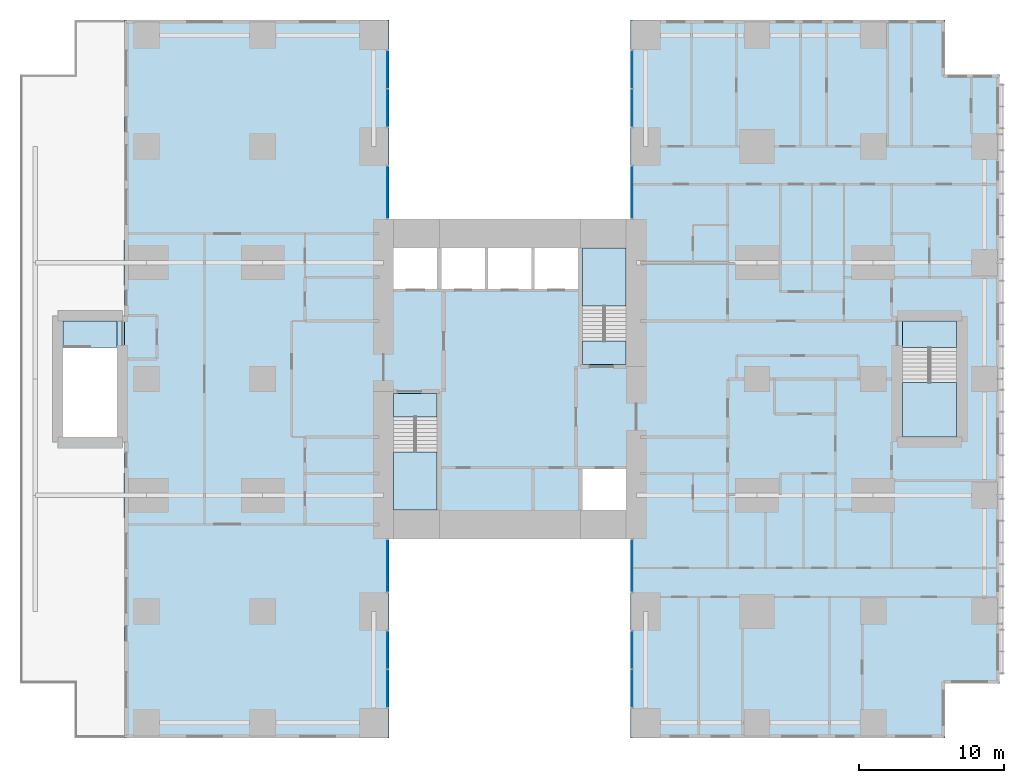
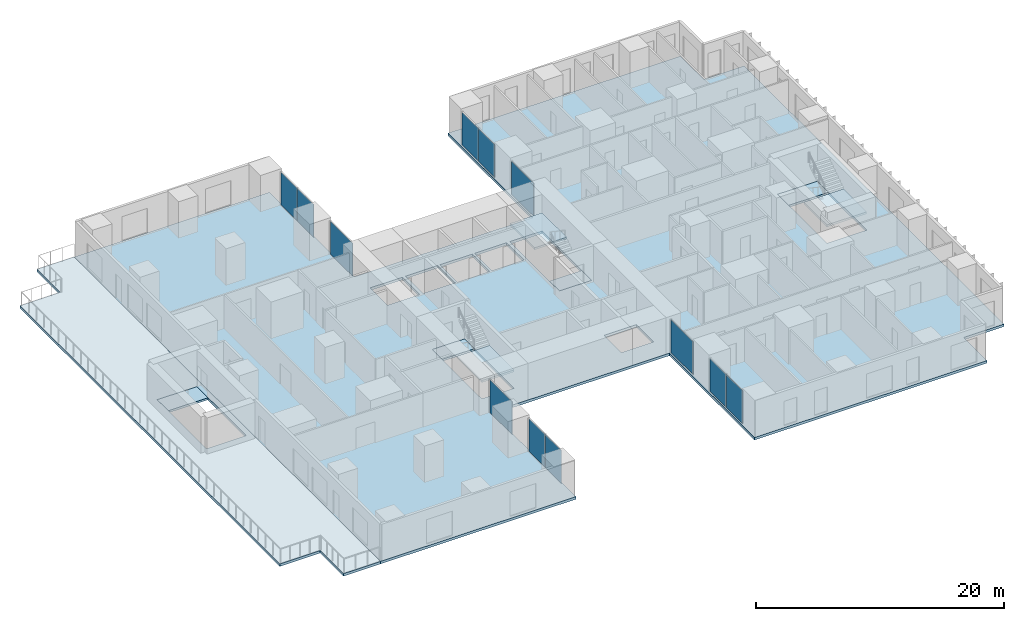
# One storey, part 7 of 16: 12 plates, 9 slabs, 11 elements without a shape of their own.
"""IFC4 building model written with IfcOpenShell, lengths in metres."""

from ifc_helpers import new_model, si_unit, direction, frame, origin, origin_2d, place, context, subcontext, project, spatial, polyline, rectangle, outline, extrude, material, layer, layer_set, type_object, element, aggregate, save


model = new_model("IFC4")

# Units and contexts
model_context = context("Model", 3, precision=1e-05, world=origin(), true_north=direction((0.0, 1.0)))
body_context = subcontext(model_context, "Body", "Model", "MODEL_VIEW")
ifc_project = project(units=[si_unit("LENGTHUNIT", "METRE"), si_unit("AREAUNIT", "SQUARE_METRE"), si_unit("VOLUMEUNIT", "CUBIC_METRE"), si_unit("PLANEANGLEUNIT", "RADIAN"), si_unit("MASSUNIT", "GRAM", prefix="KILO")], contexts=[model_context])

# Site, building, storey
site_placement = place(None, origin())
site = spatial("IfcSite", under=ifc_project, at=site_placement, CompositionType="ELEMENT")
building_placement = place(site_placement, origin())
building = spatial("IfcBuilding", under=site, at=building_placement, Name="Cleftline Residences", CompositionType="ELEMENT")
storey_placement = place(building_placement, frame((0.0, 0.0, 218.199951171875)))
storey = spatial("IfcBuildingStorey", under=building, at=storey_placement, Name="L57", CompositionType="ELEMENT", Elevation=218.199951171875)

# Curtain wall, plates
ifc_material_1 = material(Name="Aluminium framed curtain wall", Category="aluminium")
ifc_layer_1 = layer(ifc_material_1, 0.199951171875)
ifc_layer_set_1 = layer_set([ifc_layer_1], Name="CW1 CLEFT GLAZING")
curtain_wall_type = type_object("IfcCurtainWallType", Name="CW1 CLEFT GLAZING", PredefinedType="NOTDEFINED", material=ifc_layer_set_1)
curtain_wall_1_placement = place(storey_placement, origin())
curtain_wall_1 = element("IfcCurtainWall", 1, at=curtain_wall_1_placement, inside=storey, type_object=curtain_wall_type, Name="Curtain wall CW1", PredefinedType="NOTDEFINED")
ifc_material_2 = material(Name="Laminated clear glass", Category="glass")
ifc_layer_2 = layer(ifc_material_2, 0.028076171875)
ifc_layer_set_2 = layer_set([ifc_layer_2], Name="CW1 GLASS PANEL")
plate_type = type_object("IfcPlateType", Name="CW1 GLASS PANEL", PredefinedType="CURTAIN_PANEL", material=ifc_layer_set_2)
plate_1_placement = place(storey_placement, frame((24.574951171875, 2.702392578125, 0.06005859375), z_axis=(0.0, 0.0, 1.0), x_axis=(0.0, 1.0, 0.0)))
plate_1 = element("IfcPlate", 2, at=plate_1_placement, type_object=plate_type, Name="CW1 panel 1.1", PredefinedType="CURTAIN_PANEL", context=body_context, shape_type="SweptSolid", body=[
    extrude(rectangle(XDim=2.5849609375, YDim=0.028076171875, at=origin_2d()), origin(), (0.0, 0.0, 1.0), 3.22998046875),
])
plate_2_placement = place(storey_placement, frame((24.574951171875, 5.347412109375, 0.06005859375), z_axis=(0.0, 0.0, 1.0), x_axis=(0.0, 1.0, 0.0)))
plate_2 = element("IfcPlate", 3, at=plate_2_placement, type_object=plate_type, Name="CW1 panel 2.1", PredefinedType="CURTAIN_PANEL", context=body_context, shape_type="SweptSolid", body=[
    extrude(rectangle(XDim=2.5849609375, YDim=0.028076171875, at=origin_2d()), origin(), (0.0, 0.0, 1.0), 3.22998046875),
])
aggregate(curtain_wall_1, [plate_1, plate_2])

# Curtain wall, plate
curtain_wall_2_placement = place(storey_placement, origin())
curtain_wall_2 = element("IfcCurtainWall", 4, at=curtain_wall_2_placement, inside=storey, type_object=curtain_wall_type, Name="Curtain wall CW1", PredefinedType="NOTDEFINED")
plate_3_placement = place(storey_placement, frame((24.574951171875, 11.14990234375, 0.06005859375), z_axis=(0.0, 0.0, 1.0), x_axis=(0.0, 1.0, 0.0)))
plate_3 = element("IfcPlate", 5, at=plate_3_placement, type_object=plate_type, Name="CW1 panel 1.1", PredefinedType="CURTAIN_PANEL", context=body_context, shape_type="SweptSolid", body=[
    extrude(rectangle(XDim=3.580078125, YDim=0.028076171875, at=origin_2d()), origin(), (0.0, 0.0, 1.0), 3.22998046875),
])
aggregate(curtain_wall_2, [plate_3])

curtain_wall_3_placement = place(storey_placement, origin())
curtain_wall_3 = element("IfcCurtainWall", 6, at=curtain_wall_3_placement, inside=storey, type_object=curtain_wall_type, Name="Curtain wall CW1", PredefinedType="NOTDEFINED")
plate_4_placement = place(storey_placement, frame((41.425048828125, 11.14990234375, 0.06005859375), z_axis=(0.0, 0.0, 1.0), x_axis=(0.0, -1.0, 0.0)))
plate_4 = element("IfcPlate", 7, at=plate_4_placement, type_object=plate_type, Name="CW1 panel 1.1", PredefinedType="CURTAIN_PANEL", context=body_context, shape_type="SweptSolid", body=[
    extrude(rectangle(XDim=3.580078125, YDim=0.028076171875, at=origin_2d()), origin(), (0.0, 0.0, 1.0), 3.22998046875),
])
aggregate(curtain_wall_3, [plate_4])

# Curtain wall, plates
curtain_wall_4_placement = place(storey_placement, origin())
curtain_wall_4 = element("IfcCurtainWall", 8, at=curtain_wall_4_placement, inside=storey, type_object=curtain_wall_type, Name="Curtain wall CW1", PredefinedType="NOTDEFINED")
plate_5_placement = place(storey_placement, frame((41.425048828125, 5.347412109375, 0.06005859375), z_axis=(0.0, 0.0, 1.0), x_axis=(0.0, -1.0, 0.0)))
plate_5 = element("IfcPlate", 9, at=plate_5_placement, type_object=plate_type, Name="CW1 panel 1.1", PredefinedType="CURTAIN_PANEL", context=body_context, shape_type="SweptSolid", body=[
    extrude(rectangle(XDim=2.5849609375, YDim=0.028076171875, at=origin_2d()), origin(), (0.0, 0.0, 1.0), 3.22998046875),
])
plate_6_placement = place(storey_placement, frame((41.425048828125, 2.702392578125, 0.06005859375), z_axis=(0.0, 0.0, 1.0), x_axis=(0.0, -1.0, 0.0)))
plate_6 = element("IfcPlate", 10, at=plate_6_placement, type_object=plate_type, Name="CW1 panel 2.1", PredefinedType="CURTAIN_PANEL", context=body_context, shape_type="SweptSolid", body=[
    extrude(rectangle(XDim=2.5849609375, YDim=0.028076171875, at=origin_2d()), origin(), (0.0, 0.0, 1.0), 3.22998046875),
])
aggregate(curtain_wall_4, [plate_5, plate_6])

curtain_wall_5_placement = place(storey_placement, origin())
curtain_wall_5 = element("IfcCurtainWall", 11, at=curtain_wall_5_placement, inside=storey, type_object=curtain_wall_type, Name="Curtain wall CW1", PredefinedType="NOTDEFINED")
plate_7_placement = place(storey_placement, frame((41.425048828125, 45.297607421875, 0.06005859375), z_axis=(0.0, 0.0, 1.0), x_axis=(0.0, -1.0, 0.0)))
plate_7 = element("IfcPlate", 12, at=plate_7_placement, type_object=plate_type, Name="CW1 panel 1.1", PredefinedType="CURTAIN_PANEL", context=body_context, shape_type="SweptSolid", body=[
    extrude(rectangle(XDim=2.5849609375, YDim=0.028076171875, at=origin_2d()), origin(), (0.0, 0.0, 1.0), 3.22998046875),
])
plate_8_placement = place(storey_placement, frame((41.425048828125, 42.652587890625, 0.06005859375), z_axis=(0.0, 0.0, 1.0), x_axis=(0.0, -1.0, 0.0)))
plate_8 = element("IfcPlate", 13, at=plate_8_placement, type_object=plate_type, Name="CW1 panel 2.1", PredefinedType="CURTAIN_PANEL", context=body_context, shape_type="SweptSolid", body=[
    extrude(rectangle(XDim=2.5849609375, YDim=0.028076171875, at=origin_2d()), origin(), (0.0, 0.0, 1.0), 3.22998046875),
])
aggregate(curtain_wall_5, [plate_7, plate_8])

# Curtain wall, plate
curtain_wall_6_placement = place(storey_placement, origin())
curtain_wall_6 = element("IfcCurtainWall", 14, at=curtain_wall_6_placement, inside=storey, type_object=curtain_wall_type, Name="Curtain wall CW1", PredefinedType="NOTDEFINED")
plate_9_placement = place(storey_placement, frame((41.425048828125, 36.85009765625, 0.06005859375), z_axis=(0.0, 0.0, 1.0), x_axis=(0.0, -1.0, 0.0)))
plate_9 = element("IfcPlate", 15, at=plate_9_placement, type_object=plate_type, Name="CW1 panel 1.1", PredefinedType="CURTAIN_PANEL", context=body_context, shape_type="SweptSolid", body=[
    extrude(rectangle(XDim=3.580078125, YDim=0.028076171875, at=origin_2d()), origin(), (0.0, 0.0, 1.0), 3.22998046875),
])
aggregate(curtain_wall_6, [plate_9])

curtain_wall_7_placement = place(storey_placement, origin())
curtain_wall_7 = element("IfcCurtainWall", 16, at=curtain_wall_7_placement, inside=storey, type_object=curtain_wall_type, Name="Curtain wall CW1", PredefinedType="NOTDEFINED")
plate_10_placement = place(storey_placement, frame((24.574951171875, 36.85009765625, 0.06005859375), z_axis=(0.0, 0.0, 1.0), x_axis=(0.0, 1.0, 0.0)))
plate_10 = element("IfcPlate", 17, at=plate_10_placement, type_object=plate_type, Name="CW1 panel 1.1", PredefinedType="CURTAIN_PANEL", context=body_context, shape_type="SweptSolid", body=[
    extrude(rectangle(XDim=3.580078125, YDim=0.028076171875, at=origin_2d()), origin(), (0.0, 0.0, 1.0), 3.22998046875),
])
aggregate(curtain_wall_7, [plate_10])

# Curtain wall, plates
curtain_wall_8_placement = place(storey_placement, origin())
curtain_wall_8 = element("IfcCurtainWall", 18, at=curtain_wall_8_placement, inside=storey, type_object=curtain_wall_type, Name="Curtain wall CW1", PredefinedType="NOTDEFINED")
plate_11_placement = place(storey_placement, frame((24.574951171875, 42.652587890625, 0.06005859375), z_axis=(0.0, 0.0, 1.0), x_axis=(0.0, 1.0, 0.0)))
plate_11 = element("IfcPlate", 19, at=plate_11_placement, type_object=plate_type, Name="CW1 panel 1.1", PredefinedType="CURTAIN_PANEL", context=body_context, shape_type="SweptSolid", body=[
    extrude(rectangle(XDim=2.5849609375, YDim=0.028076171875, at=origin_2d()), origin(), (0.0, 0.0, 1.0), 3.22998046875),
])
plate_12_placement = place(storey_placement, frame((24.574951171875, 45.297607421875, 0.06005859375), z_axis=(0.0, 0.0, 1.0), x_axis=(0.0, 1.0, 0.0)))
plate_12 = element("IfcPlate", 20, at=plate_12_placement, type_object=plate_type, Name="CW1 panel 2.1", PredefinedType="CURTAIN_PANEL", context=body_context, shape_type="SweptSolid", body=[
    extrude(rectangle(XDim=2.5849609375, YDim=0.028076171875, at=origin_2d()), origin(), (0.0, 0.0, 1.0), 3.22998046875),
])
aggregate(curtain_wall_8, [plate_11, plate_12])

# Slab
ifc_material_3 = material(Name="Concrete B45", Category="concrete")
ifc_layer_3 = layer(ifc_material_3, 0.25)
ifc_layer_set_3 = layer_set([ifc_layer_3], Name="FLOOR SLAB 250")
slab_type_1 = type_object("IfcSlabType", Name="FLOOR SLAB 250", PredefinedType="FLOOR", material=ifc_layer_set_3)
slab_1_placement = place(storey_placement, frame((0.0, 0.0, -0.25)))
element("IfcSlab", 21, at=slab_1_placement, inside=storey, type_object=slab_type_1, Name="Floor slab L57", PredefinedType="FLOOR", context=body_context, shape_type="SweptSolid", body=[
    extrude(outline(polyline([(24.699951171875, 13.0), (41.300048828125, 13.0), (41.300048828125, -0.699951171875), (62.949951171875, -0.699951171875), (62.949951171875, 3.050048828125), (66.699951171875, 3.050048828125), (66.699951171875, 44.949951171875), (62.949951171875, 44.949951171875), (62.949951171875, 48.699951171875), (41.300048828125, 48.699951171875), (41.300048828125, 35.0), (24.699951171875, 35.0), (24.699951171875, 48.699951171875), (6.5, 48.699951171875), (6.5, -0.699951171875), (24.699951171875, -0.699951171875), (24.699951171875, 13.0)]), holes=[polyline([(28.0, 15.0), (28.0, 23.0), (25.0, 23.0), (25.0, 15.0), (28.0, 15.0)]), polyline([(41.0, 25.0), (41.0, 33.0), (38.0, 33.0), (38.0, 25.0), (41.0, 25.0)]), polyline([(28.0, 30.199951171875), (28.0, 33.0), (25.0, 33.0), (25.0, 30.199951171875), (28.0, 30.199951171875)]), polyline([(41.0, 15.0), (41.0, 17.800048828125), (38.0, 17.800048828125), (38.0, 15.0), (41.0, 15.0)]), polyline([(31.300048828125, 30.199951171875), (31.300048828125, 33.0), (28.300048828125, 33.0), (28.300048828125, 30.199951171875), (31.300048828125, 30.199951171875)]), polyline([(34.5, 30.199951171875), (34.5, 33.0), (31.5, 33.0), (31.5, 30.199951171875), (34.5, 30.199951171875)]), polyline([(37.699951171875, 30.199951171875), (37.699951171875, 33.0), (34.699951171875, 33.0), (34.699951171875, 30.199951171875), (37.699951171875, 30.199951171875)]), polyline([(63.72509765625, 20.02490234375), (63.72509765625, 27.97509765625), (60.02490234375, 27.97509765625), (60.02490234375, 20.02490234375), (63.72509765625, 20.02490234375)])]), origin(), (0.0, 0.0, 1.0), 0.25),
])

# Stair, slabs
ifc_material_4 = material(Name="Concrete B45, stone treads", Category="masonry")
stair_type_1 = type_object("IfcStairType", Name="STAIR A 1450 WIDE 180 RISER", PredefinedType="HALF_TURN_STAIR", material=ifc_material_4)
stair_1_placement = place(storey_placement, origin())
stair_1 = element("IfcStair", 22, at=stair_1_placement, inside=storey, type_object=stair_type_1, Name="Stair A L57", PredefinedType="HALF_TURN_STAIR")
ifc_material_5 = material(Name="Concrete B45", Category="concrete")
ifc_layer_4 = layer(ifc_material_5, 0.199951171875)
ifc_layer_set_4 = layer_set([ifc_layer_4], Name="STAIR LANDING 200")
slab_type_2 = type_object("IfcSlabType", Name="STAIR LANDING 200", PredefinedType="LANDING", material=ifc_layer_set_4)
slab_2_placement = place(storey_placement, frame((0.0, 0.0, -0.199951171875)))
slab_2 = element("IfcSlab", 23, at=slab_2_placement, type_object=slab_type_2, Name="ST-A landing 1", PredefinedType="LANDING", context=body_context, shape_type="SweptSolid", body=[
    extrude(outline(polyline([(25.0, 21.39990234375), (28.0, 21.39990234375), (28.0, 23.0), (25.0, 23.0), (25.0, 21.39990234375)])), origin(), (0.0, 0.0, 1.0), 0.199951171875),
])
slab_3_placement = place(storey_placement, frame((0.0, 0.0, 1.60009765625)))
slab_3 = element("IfcSlab", 24, at=slab_3_placement, type_object=slab_type_2, Name="ST-A landing 2", PredefinedType="LANDING", context=body_context, shape_type="SweptSolid", body=[
    extrude(outline(polyline([(25.0, 15.0), (28.0, 15.0), (28.0, 18.969970703125), (25.0, 18.969970703125), (25.0, 15.0)])), origin(), (0.0, 0.0, 1.0), 0.199951171875),
])
aggregate(stair_1, [slab_2, slab_3])

ifc_material_6 = material(Name="Concrete B45, stone treads", Category="masonry")
stair_type_2 = type_object("IfcStairType", Name="STAIR B 1450 WIDE 180 RISER", PredefinedType="HALF_TURN_STAIR", material=ifc_material_6)
stair_2_placement = place(storey_placement, origin())
stair_2 = element("IfcStair", 25, at=stair_2_placement, inside=storey, type_object=stair_type_2, Name="Stair B L57", PredefinedType="HALF_TURN_STAIR")
slab_4_placement = place(storey_placement, frame((0.0, 0.0, -0.199951171875)))
slab_4 = element("IfcSlab", 26, at=slab_4_placement, type_object=slab_type_2, Name="ST-B landing 1", PredefinedType="LANDING", context=body_context, shape_type="SweptSolid", body=[
    extrude(outline(polyline([(38.0, 25.0), (41.0, 25.0), (41.0, 26.60009765625), (38.0, 26.60009765625), (38.0, 25.0)])), origin(), (0.0, 0.0, 1.0), 0.199951171875),
])
slab_5_placement = place(storey_placement, frame((0.0, 0.0, 1.60009765625)))
slab_5 = element("IfcSlab", 27, at=slab_5_placement, type_object=slab_type_2, Name="ST-B landing 2", PredefinedType="LANDING", context=body_context, shape_type="SweptSolid", body=[
    extrude(outline(polyline([(38.0, 29.030029296875), (41.0, 29.030029296875), (41.0, 33.0), (38.0, 33.0), (38.0, 29.030029296875)])), origin(), (0.0, 0.0, 1.0), 0.199951171875),
])
aggregate(stair_2, [slab_4, slab_5])

ifc_material_7 = material(Name="Concrete B45, stone treads", Category="masonry")
stair_type_3 = type_object("IfcStairType", Name="STAIR E 1800 WIDE 180 RISER", PredefinedType="HALF_TURN_STAIR", material=ifc_material_7)
stair_3_placement = place(storey_placement, origin())
stair_3 = element("IfcStair", 28, at=stair_3_placement, inside=storey, type_object=stair_type_3, Name="Stair E L57", PredefinedType="HALF_TURN_STAIR")
slab_6_placement = place(storey_placement, frame((0.0, 0.0, -0.199951171875)))
slab_6 = element("IfcSlab", 29, at=slab_6_placement, type_object=slab_type_2, Name="ST-E landing 1", PredefinedType="LANDING", context=body_context, shape_type="SweptSolid", body=[
    extrude(outline(polyline([(60.02490234375, 26.175048828125), (63.72509765625, 26.175048828125), (63.72509765625, 27.97509765625), (60.02490234375, 27.97509765625), (60.02490234375, 26.175048828125)])), origin(), (0.0, 0.0, 1.0), 0.199951171875),
])
slab_7_placement = place(storey_placement, frame((0.0, 0.0, 1.60009765625)))
slab_7 = element("IfcSlab", 30, at=slab_7_placement, type_object=slab_type_2, Name="ST-E landing 2", PredefinedType="LANDING", context=body_context, shape_type="SweptSolid", body=[
    extrude(outline(polyline([(60.02490234375, 20.02490234375), (63.72509765625, 20.02490234375), (63.72509765625, 23.7451171875), (60.02490234375, 23.7451171875), (60.02490234375, 20.02490234375)])), origin(), (0.0, 0.0, 1.0), 0.199951171875),
])
aggregate(stair_3, [slab_6, slab_7])

# Slabs
slab_8_placement = place(storey_placement, frame((0.0, 0.0, -0.199951171875)))
element("IfcSlab", 31, at=slab_8_placement, inside=storey, type_object=slab_type_2, Name="Stair W top landing", PredefinedType="LANDING", context=body_context, shape_type="SweptSolid", body=[
    extrude(outline(polyline([(2.27490234375, 26.175048828125), (5.97509765625, 26.175048828125), (5.97509765625, 27.97509765625), (2.27490234375, 27.97509765625), (2.27490234375, 26.175048828125)])), origin(), (0.0, 0.0, 1.0), 0.199951171875),
])
ifc_material_8 = material(Name="Concrete B45", Category="concrete")
ifc_layer_5 = layer(ifc_material_8, 0.25)
ifc_layer_set_5 = layer_set([ifc_layer_5], Name="TERRACE SLAB 250")
slab_type_3 = type_object("IfcSlabType", Name="TERRACE SLAB 250", PredefinedType="FLOOR", material=ifc_layer_set_5)
slab_9_placement = place(storey_placement, frame((0.0, 0.0, -0.25)))
element("IfcSlab", 32, at=slab_9_placement, inside=storey, type_object=slab_type_3, Name="Terrace slab L57 1", PredefinedType="FLOOR", context=body_context, shape_type="SweptSolid", body=[
    extrude(outline(polyline([(3.050048828125, 3.0498046875), (3.050048828125, -0.68994140625), (3.050048828125, -0.69091796875), (3.05029296875, -0.69189453125), (3.05029296875, -0.69287109375), (3.05078125, -0.69384765625), (3.05126953125, -0.694580078125), (3.0517578125, -0.695556640625), (3.05224609375, -0.6962890625), (3.052978515625, -0.697021484375), (3.0537109375, -0.69775390625), (3.054443359375, -0.6982421875), (3.055419921875, -0.69873046875), (3.05615234375, -0.69921875), (3.05712890625, -0.69970703125), (3.05810546875, -0.69970703125), (3.05908203125, -0.699951171875), (3.06005859375, -0.699951171875), (6.489990234375, -0.699951171875), (6.490966796875, -0.699951171875), (6.491943359375, -0.69970703125), (6.492919921875, -0.69970703125), (6.493896484375, -0.69921875), (6.49462890625, -0.69873046875), (6.49560546875, -0.6982421875), (6.496337890625, -0.69775390625), (6.4970703125, -0.697021484375), (6.497802734375, -0.6962890625), (6.498291015625, -0.695556640625), (6.498779296875, -0.694580078125), (6.499267578125, -0.69384765625), (6.49951171875, -0.69287109375), (6.499755859375, -0.69189453125), (6.5, -0.69091796875), (6.5, -0.68994140625), (6.5, 48.68994140625), (6.5, 48.69091796875), (6.499755859375, 48.69189453125), (6.49951171875, 48.69287109375), (6.499267578125, 48.69384765625), (6.498779296875, 48.694580078125), (6.498291015625, 48.695556640625), (6.497802734375, 48.6962890625), (6.4970703125, 48.697021484375), (6.496337890625, 48.69775390625), (6.49560546875, 48.6982421875), (6.49462890625, 48.69873046875), (6.493896484375, 48.69921875), (6.492919921875, 48.69970703125), (6.491943359375, 48.69970703125), (6.490966796875, 48.699951171875), (6.489990234375, 48.699951171875), (3.06005859375, 48.699951171875), (3.05908203125, 48.699951171875), (3.05810546875, 48.69970703125), (3.05712890625, 48.69970703125), (3.05615234375, 48.69921875), (3.055419921875, 48.69873046875), (3.054443359375, 48.6982421875), (3.0537109375, 48.69775390625), (3.052978515625, 48.697021484375), (3.05224609375, 48.6962890625), (3.0517578125, 48.695556640625), (3.05126953125, 48.694580078125), (3.05078125, 48.69384765625), (3.05029296875, 48.69287109375), (3.05029296875, 48.69189453125), (3.050048828125, 48.69091796875), (3.050048828125, 48.68994140625), (3.050048828125, 44.9501953125), (3.050048828125, 44.949951171875), (3.0498046875, 44.949951171875), (-0.68994140625, 44.949951171875), (-0.69091796875, 44.949951171875), (-0.69189453125, 44.94970703125), (-0.69287109375, 44.94970703125), (-0.69384765625, 44.94921875), (-0.694580078125, 44.94873046875), (-0.695556640625, 44.9482421875), (-0.6962890625, 44.94775390625), (-0.697021484375, 44.947021484375), (-0.69775390625, 44.9462890625), (-0.6982421875, 44.945556640625), (-0.69873046875, 44.944580078125), (-0.69921875, 44.94384765625), (-0.69970703125, 44.94287109375), (-0.69970703125, 44.94189453125), (-0.699951171875, 44.94091796875), (-0.699951171875, 44.93994140625), (-0.699951171875, 3.06005859375), (-0.699951171875, 3.05908203125), (-0.69970703125, 3.05810546875), (-0.69970703125, 3.05712890625), (-0.69921875, 3.05615234375), (-0.69873046875, 3.055419921875), (-0.6982421875, 3.054443359375), (-0.69775390625, 3.0537109375), (-0.697021484375, 3.052978515625), (-0.6962890625, 3.05224609375), (-0.695556640625, 3.0517578125), (-0.694580078125, 3.05126953125), (-0.69384765625, 3.05078125), (-0.69287109375, 3.05029296875), (-0.69189453125, 3.05029296875), (-0.69091796875, 3.050048828125), (-0.68994140625, 3.050048828125), (3.0498046875, 3.050048828125), (3.050048828125, 3.050048828125), (3.050048828125, 3.0498046875)]), holes=[polyline([(5.97509765625, 20.02490234375), (5.97509765625, 27.97509765625), (2.27490234375, 27.97509765625), (2.27490234375, 20.02490234375), (5.97509765625, 20.02490234375)])]), origin(), (0.0, 0.0, 1.0), 0.25),
])

save(model, "model.ifc")
